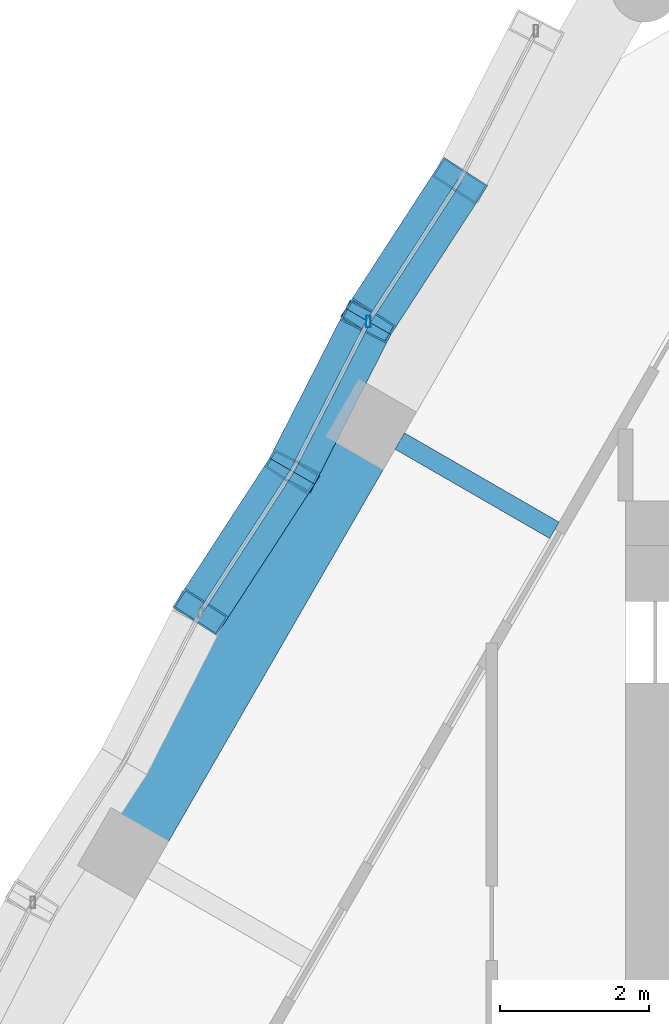
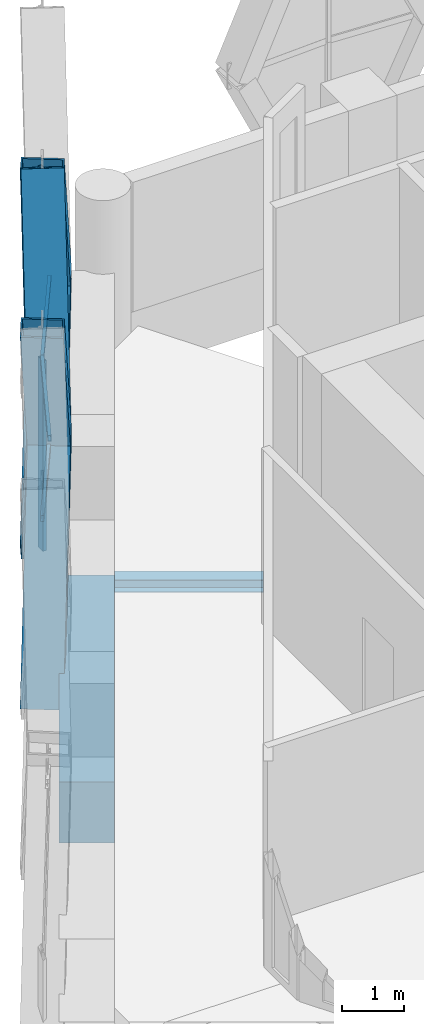
# One storey, part 8 of 27: 11 members, 2 beams, 2 elements without a shape of their own.
"""IFC4 building model written with IfcOpenShell, lengths in metres."""

from ifc_helpers import new_model, si_unit, direction, frame, origin, origin_2d, place, context, subcontext, project, spatial, rectangle, hollow_rectangle, i_section, extrude, material, material_profile, profile_set, type_object, element, aggregate, save


model = new_model("IFC4")

# Units and contexts
model_context = context("Model", 3, precision=1e-05, world=origin(), true_north=direction((0.0, 1.0)))
body_context = subcontext(model_context, "Body", "Model", "MODEL_VIEW")
ifc_project = project(units=[si_unit("LENGTHUNIT", "METRE"), si_unit("AREAUNIT", "SQUARE_METRE"), si_unit("VOLUMEUNIT", "CUBIC_METRE"), si_unit("PLANEANGLEUNIT", "RADIAN"), si_unit("MASSUNIT", "GRAM", prefix="KILO")], contexts=[model_context])

# Site, building, storey
site_placement = place(None, origin())
site = spatial("IfcSite", under=ifc_project, at=site_placement, CompositionType="ELEMENT")
building_placement = place(site_placement, origin())
building = spatial("IfcBuilding", under=site, at=building_placement, Name="Ostrander Bayou Hotel Tower", CompositionType="ELEMENT")
storey_placement = place(building_placement, frame((0.0, 0.0, 267.5)))
storey = spatial("IfcBuildingStorey", under=building, at=storey_placement, Name="L66", CompositionType="ELEMENT", Elevation=267.5)

# Curtain wall, members
ifc_material_1 = material(Name="Aluminium and clear glass", Category="aluminium")
curtain_wall_type = type_object("IfcCurtainWallType", Name="CW-LAT lattice glazing", PredefinedType="NOTDEFINED", material=ifc_material_1)
curtain_wall_1_placement = place(storey_placement, origin())
curtain_wall_1 = element("IfcCurtainWall", 1, at=curtain_wall_1_placement, inside=storey, type_object=curtain_wall_type, Name="CW-LAT L66 NW 1", PredefinedType="NOTDEFINED")
ifc_material_2 = material(Name="Aluminium", Category="aluminium")
ifc_material_profile_1 = material_profile(ifc_material_2, hollow_rectangle(XDim=0.06005859375, YDim=0.159912109375, WallThickness=0.00390625, at=origin_2d()))
ifc_profile_set_1 = profile_set([ifc_material_profile_1], Name="Aluminium")
member_type_1 = type_object("IfcMemberType", Name="CW-LA mullion 60 x 160 mm", PredefinedType="MULLION", material=ifc_profile_set_1)
member_1_placement = place(storey_placement, frame((-11.95947265625, 12.112548828125, -0.60009765625), z_axis=(0.0, 0.0, 1.0), x_axis=(1.0, 0.0, 0.0)))
member_1 = element("IfcMember", 2, at=member_1_placement, type_object=member_type_1, Name="CW-LAT mullion 4", PredefinedType="MULLION", context=body_context, shape_type="SweptSolid", body=[
    extrude(hollow_rectangle(XDim=0.06005859375, YDim=0.159912109375, WallThickness=0.00390625, at=origin_2d()), origin(), (0.0, 0.0, 1.0), 3.75),
])
member_2_placement = place(storey_placement, frame((-11.95947265625, 12.112548828125, 3.14990234375), z_axis=(0.0, 0.0, 1.0), x_axis=(1.0, 0.0, 0.0)))
member_2 = element("IfcMember", 3, at=member_2_placement, type_object=member_type_1, Name="CW-LAT mullion 5", PredefinedType="MULLION", context=body_context, shape_type="SweptSolid", body=[
    extrude(hollow_rectangle(XDim=0.06005859375, YDim=0.159912109375, WallThickness=0.00390625, at=origin_2d()), origin(), (0.0, 0.0, 1.0), 3.75),
])
aggregate(curtain_wall_1, [member_1, member_2])

curtain_wall_2_placement = place(storey_placement, origin())
curtain_wall_2 = element("IfcCurtainWall", 4, at=curtain_wall_2_placement, inside=storey, type_object=curtain_wall_type, Name="CW-LAT L66 NW 2", PredefinedType="NOTDEFINED")
ifc_material_3 = material(Name="Aluminium", Category="aluminium")
ifc_material_profile_2 = material_profile(ifc_material_3, hollow_rectangle(XDim=0.06005859375, YDim=0.1201171875, WallThickness=0.00390625, at=origin_2d()))
ifc_profile_set_2 = profile_set([ifc_material_profile_2], Name="Aluminium")
member_type_2 = type_object("IfcMemberType", Name="CW-LA transom 60 x 120 mm", PredefinedType="USERDEFINED", material=ifc_profile_set_2)
member_3_placement = place(storey_placement, frame((-11.95947265625, 12.112548828125, 3.14990234375), z_axis=(0.54463111889, 0.838675708684, 0.0), x_axis=(-0.838675708684, 0.54463111889, 0.0)))
member_3 = element("IfcMember", 5, at=member_3_placement, type_object=member_type_2, Name="CW-LAT transom 6", ObjectType="TRANSOM", PredefinedType="USERDEFINED", context=body_context, shape_type="SweptSolid", body=[
    extrude(hollow_rectangle(XDim=0.06005859375, YDim=0.1201171875, WallThickness=0.00390625, at=origin_2d()), origin(), (0.0, 0.0, 1.0), 2.25830078125),
])
member_4_placement = place(storey_placement, frame((-11.95947265625, 12.112548828125, 3.14990234375), z_axis=(-0.453990565894, -0.891006490481, 0.0), x_axis=(0.891006490481, -0.453990565894, 0.0)))
member_4 = element("IfcMember", 6, at=member_4_placement, type_object=member_type_2, Name="CW-LAT transom 7", ObjectType="TRANSOM", PredefinedType="USERDEFINED", context=body_context, shape_type="SweptSolid", body=[
    extrude(hollow_rectangle(XDim=0.06005859375, YDim=0.1201171875, WallThickness=0.00390625, at=origin_2d()), origin(), (0.0, 0.0, 1.0), 2.258056640625),
])
member_5_placement = place(storey_placement, frame((-14.214599609375, 8.206787109375, 3.14990234375), z_axis=(0.544680501254, 0.838643637997, 0.0), x_axis=(-0.838643637997, 0.544680501254, 0.0)))
member_5 = element("IfcMember", 7, at=member_5_placement, type_object=member_type_2, Name="CW-LAT transom 10", ObjectType="TRANSOM", PredefinedType="USERDEFINED", context=body_context, shape_type="SweptSolid", body=[
    extrude(hollow_rectangle(XDim=0.06005859375, YDim=0.1201171875, WallThickness=0.00390625, at=origin_2d()), origin(), (0.0, 0.0, 1.0), 2.258056640625),
])
aggregate(curtain_wall_2, [member_3, member_4, member_5])

# Beam
ifc_material_4 = material(Name="Steel ASTM A992", Category="steel")
ifc_material_profile_3 = material_profile(ifc_material_4, i_section(OverallWidth=0.25390625, OverallDepth=0.25341796875, WebThickness=0.008544921875, FlangeThickness=0.01416015625, at=origin_2d()))
ifc_profile_set_3 = profile_set([ifc_material_profile_3], Name="Steel ASTM A992")
beam_type_1 = type_object("IfcBeamType", Name="LB2 loggia bracket W10x49", PredefinedType="BEAM", material=ifc_profile_set_3)
beam_1_placement = place(storey_placement, frame((-11.53662109375, 10.505126953125, -0.4267578125), z_axis=(0.866050077142, -0.499957262057, 0.0), x_axis=(0.499957262057, 0.866050077142, 0.0)))
element("IfcBeam", 8, at=beam_1_placement, inside=storey, type_object=beam_type_1, Name="LB2 L66 NW1", PredefinedType="BEAM", context=body_context, shape_type="SweptSolid", body=[
    extrude(i_section(OverallWidth=0.25390625, OverallDepth=0.25341796875, WebThickness=0.008544921875, FlangeThickness=0.01416015625, at=origin_2d()), origin(), (0.0, 0.0, 1.0), 2.400146484375),
])

# Members
ifc_material_5 = material(Name="Steel ASTM A572 Gr 50", Category="steel")
ifc_material_profile_4 = material_profile(ifc_material_5, hollow_rectangle(XDim=0.699951171875, YDim=0.35009765625, WallThickness=0.02490234375, at=origin_2d()))
ifc_profile_set_4 = profile_set([ifc_material_profile_4], Name="Steel ASTM A572 Gr 50")
member_type_3 = type_object("IfcMemberType", Name="LT1 lattice member box 700 x 350 x 25 mm", PredefinedType="BRACE", material=ifc_profile_set_4)
for number, where, z_axis, x_axis, name in (
    (9, (-10.7294921875, 14.006591796875, 3.14990234375), (-0.280976041786, -0.43267410325, -0.856647876504), (0.838675708684, -0.54463111889, 0.0), "LT1 L66 NW 3"),
    (10, (-10.7294921875, 14.006591796875, 3.14990234375), (-0.280976041786, -0.43267410325, 0.856647876504), (0.838675708684, -0.54463111889, 0.0), "LT1 L66 NW 4"),
    (11, (-12.984619140625, 10.1005859375, 3.14990234375), (0.234192014113, 0.459627622839, -0.856677622475), (-0.891006490481, 0.453990565894, 0.0), "LT1 L66 NW 5"),
    (12, (-12.984619140625, 10.1005859375, 3.14990234375), (0.234192014113, 0.459627622839, 0.856677622475), (-0.891006490481, 0.453990565894, 0.0), "LT1 L66 NW 6"),
    (13, (-12.984619140625, 10.1005859375, 3.14990234375), (-0.280982821776, -0.432628771043, -0.856668547533), (0.838643637997, -0.544680501254, 0.0), "LT1 L66 NW 7"),
    (14, (-12.984619140625, 10.1005859375, 3.14990234375), (-0.280982821776, -0.432628771043, 0.856668547533), (0.838643637997, -0.544680501254, 0.0), "LT1 L66 NW 8"),
):
    element("IfcMember", number, at=place(storey_placement, frame(where, z_axis=z_axis, x_axis=x_axis)), inside=storey, type_object=member_type_3, Name=name, PredefinedType="BRACE", context=body_context, shape_type="SweptSolid", body=[
        extrude(hollow_rectangle(XDim=0.699951171875, YDim=0.35009765625, WallThickness=0.02490234375, at=origin_2d()), origin(), (0.0, 0.0, 1.0), 4.37744140625),
    ])

# Beam
ifc_material_6 = material(Name="Concrete f'c 60 MPa", Category="concrete")
ifc_material_profile_5 = material_profile(ifc_material_6, rectangle(XDim=0.89990234375, YDim=1.199951171875, at=origin_2d()))
ifc_profile_set_5 = profile_set([ifc_material_profile_5], Name="Concrete f'c 60 MPa")
beam_type_2 = type_object("IfcBeamType", Name="SP4 spandrel beam 900 x 1200 mm f'c 60 MPa", PredefinedType="SPANDREL", material=ifc_profile_set_5)
beam_2_placement = place(storey_placement, frame((-12.13623046875, 10.366455078125, -0.60009765625), z_axis=(-0.499997265274, -0.866026982673, 0.0), x_axis=(0.866026982673, -0.499997265274, 0.0)))
element("IfcBeam", 15, at=beam_2_placement, inside=storey, type_object=beam_type_2, Name="SP4 L66 NW-2", PredefinedType="SPANDREL", context=body_context, shape_type="SweptSolid", body=[
    extrude(rectangle(XDim=0.89990234375, YDim=1.199951171875, at=origin_2d()), origin(), (0.0, 0.0, 1.0), 5.81884765625),
])

save(model, "model.ifc")
